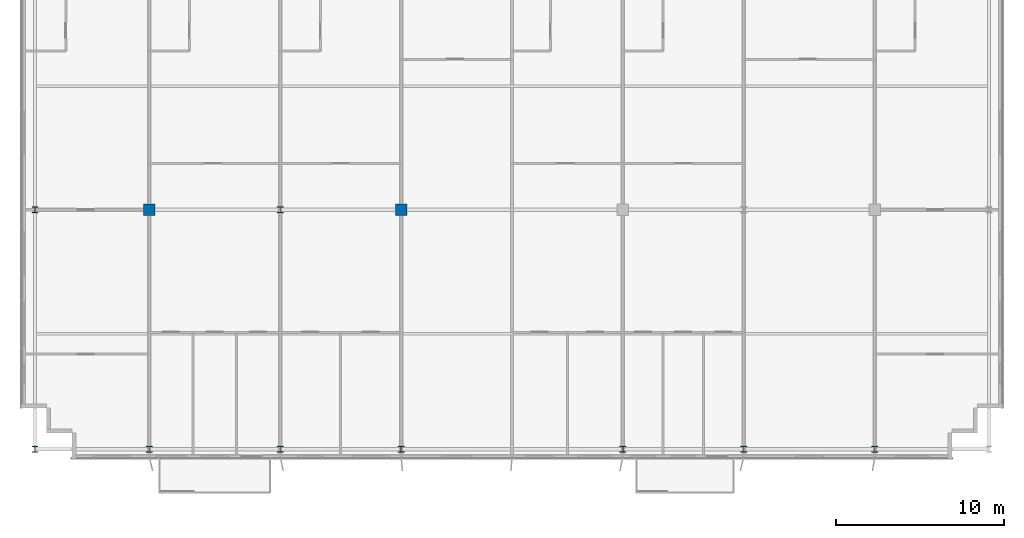
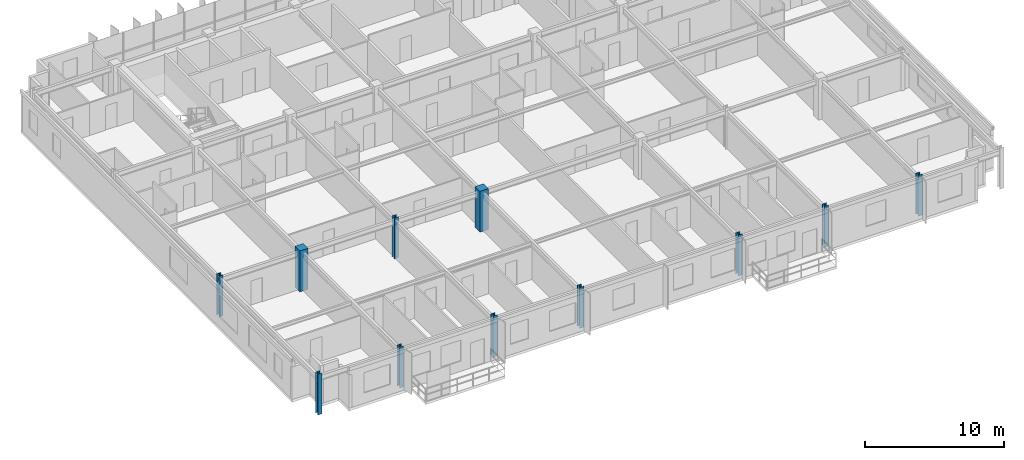
# One storey, part 1 of 23: 11 columns.
"""IFC4 building model written with IfcOpenShell, lengths in metres."""

from ifc_helpers import new_model, si_unit, direction, frame, origin, origin_2d, place, context, subcontext, project, spatial, rectangle, i_section, extrude, source, transform, mapped, material, material_profile, profile_set, type_object, element, save


model = new_model("IFC4")

# Units and contexts
model_context = context("Model", 3, precision=1e-05, world=origin(), true_north=direction((0.0, 1.0)))
body_context = subcontext(model_context, "Body", "Model", "MODEL_VIEW")
ifc_project = project(units=[si_unit("LENGTHUNIT", "METRE"), si_unit("AREAUNIT", "SQUARE_METRE"), si_unit("VOLUMEUNIT", "CUBIC_METRE"), si_unit("PLANEANGLEUNIT", "RADIAN"), si_unit("MASSUNIT", "GRAM", prefix="KILO")], contexts=[model_context])

# Site, building, storey
site_placement = place(None, origin())
site = spatial("IfcSite", under=ifc_project, at=site_placement, CompositionType="ELEMENT")
building_placement = place(site_placement, origin())
building = spatial("IfcBuilding", under=site, at=building_placement, Name="Trelvane Seafront Commons", CompositionType="ELEMENT")
storey_placement = place(building_placement, frame((0.0, 0.0, 222.89990234375)))
storey = spatial("IfcBuildingStorey", under=building, at=storey_placement, Name="L58", CompositionType="ELEMENT", Elevation=222.89990234375)

# Columns
ifc_material_1 = material(Name="Concrete C50/60", Category="concrete")
ifc_material_profile_1 = material_profile(ifc_material_1, rectangle(XDim=0.699951171875, YDim=0.699951171875, at=origin_2d()), Name="RC-700x700")
ifc_profile_set_1 = profile_set([ifc_material_profile_1], Name="Concrete C50/60")
column_type_1 = type_object("IfcColumnType", Name="STR-COL-RC700", PredefinedType="COLUMN", material=ifc_profile_set_1)
shared_shape_1 = source(origin(), body_context, "Body", "SweptSolid", [
    extrude(rectangle(XDim=0.699951171875, YDim=0.699951171875, at=origin_2d()), origin(), (0.0, 0.0, 1.0), 3.60009765625),
])
for number, where, z_axis, x_axis, name in (
    (1, (15.60009765625, 18.199951171875, 0.0), (0.0, 0.0, 1.0), (1.0, 0.0, 0.0), "L58 Column TC-M15.6"),
    (2, (30.60009765625, 18.199951171875, 0.0), (0.0, 0.0, 1.0), (1.0, 0.0, 0.0), "L58 Column TC-M30.6"),
):
    element("IfcColumn", number, at=place(storey_placement, frame(where, z_axis=z_axis, x_axis=x_axis)), inside=storey, type_object=column_type_1, Name=name, PredefinedType="COLUMN", context=body_context, shape_type="MappedRepresentation", body=[
        mapped(shared_shape_1, transform((0.0, 0.0, 0.0), x_axis=(1.0, 0.0, 0.0), y_axis=(0.0, 1.0, 0.0), z_axis=(0.0, 0.0, 1.0), scale=1.0)),
    ])
ifc_material_2 = material(Name="Steel SM355 (S355)", Category="steel")
ifc_material_profile_2 = material_profile(ifc_material_2, i_section(OverallWidth=0.35009765625, OverallDepth=0.35009765625, WebThickness=0.01806640625, FlangeThickness=0.028076171875, at=origin_2d()), Name="HD-350x350x18x28")
ifc_profile_set_2 = profile_set([ifc_material_profile_2], Name="Steel SM355 (S355)")
column_type_2 = type_object("IfcColumnType", Name="STR-COL-HD350", PredefinedType="COLUMN", material=ifc_profile_set_2)
shared_shape_2 = source(origin(), body_context, "Body", "SweptSolid", [
    extrude(i_section(OverallWidth=0.35009765625, OverallDepth=0.35009765625, WebThickness=0.01806640625, FlangeThickness=0.028076171875, at=origin_2d()), origin(), (0.0, 0.0, 1.0), 3.60009765625),
])
for number, where, z_axis, x_axis, name in (
    (3, (8.800048828125, 3.949951171875, 0.0), (0.0, 0.0, 1.0), (1.0, 0.0, 0.0), "L58 Column TC-S8.8"),
    (4, (8.800048828125, 18.199951171875, 0.0), (0.0, 0.0, 1.0), (1.0, 0.0, 0.0), "L58 Column TC-M8.8"),
    (5, (15.60009765625, 3.949951171875, 0.0), (0.0, 0.0, 1.0), (1.0, 0.0, 0.0), "L58 Column TC-S15.6"),
    (6, (23.39990234375, 3.949951171875, 0.0), (0.0, 0.0, 1.0), (1.0, 0.0, 0.0), "L58 Column TC-S23.4"),
    (7, (23.39990234375, 18.199951171875, 0.0), (0.0, 0.0, 1.0), (1.0, 0.0, 0.0), "L58 Column TC-M23.4"),
    (8, (30.60009765625, 3.949951171875, 0.0), (0.0, 0.0, 1.0), (1.0, 0.0, 0.0), "L58 Column TC-S30.6"),
    (9, (43.800048828125, 3.949951171875, 0.0), (0.0, 0.0, 1.0), (1.0, 0.0, 0.0), "L58 Column TC-S43.8"),
    (10, (51.0, 3.949951171875, 0.0), (0.0, 0.0, 1.0), (1.0, 0.0, 0.0), "L58 Column TC-S51.0"),
    (11, (58.800048828125, 3.949951171875, 0.0), (0.0, 0.0, 1.0), (1.0, 0.0, 0.0), "L58 Column TC-S58.8"),
):
    element("IfcColumn", number, at=place(storey_placement, frame(where, z_axis=z_axis, x_axis=x_axis)), inside=storey, type_object=column_type_2, Name=name, PredefinedType="COLUMN", context=body_context, shape_type="MappedRepresentation", body=[
        mapped(shared_shape_2, transform((0.0, 0.0, 0.0), x_axis=(1.0, 0.0, 0.0), y_axis=(0.0, 1.0, 0.0), z_axis=(0.0, 0.0, 1.0), scale=1.0)),
    ])

save(model, "model.ifc")
